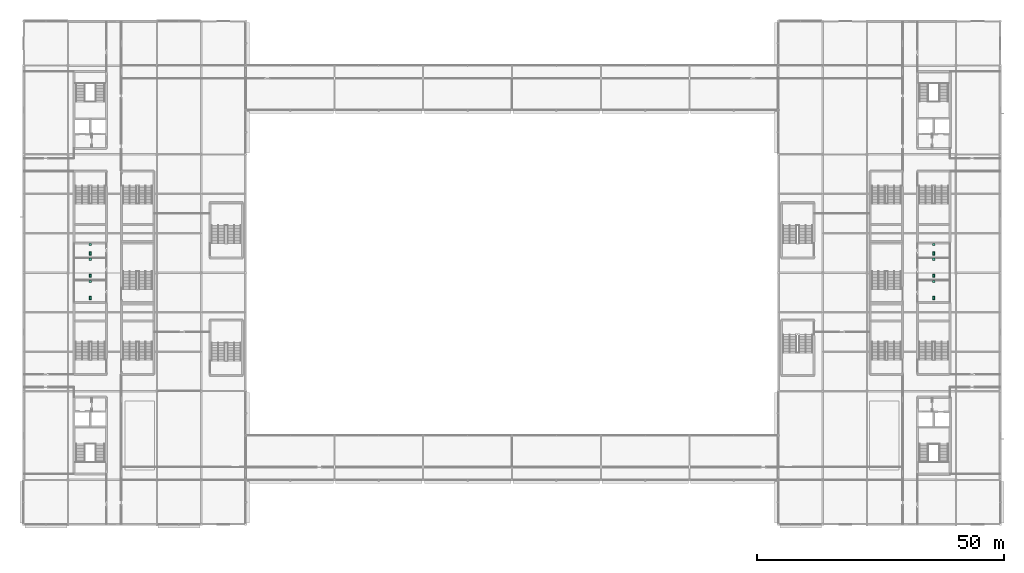
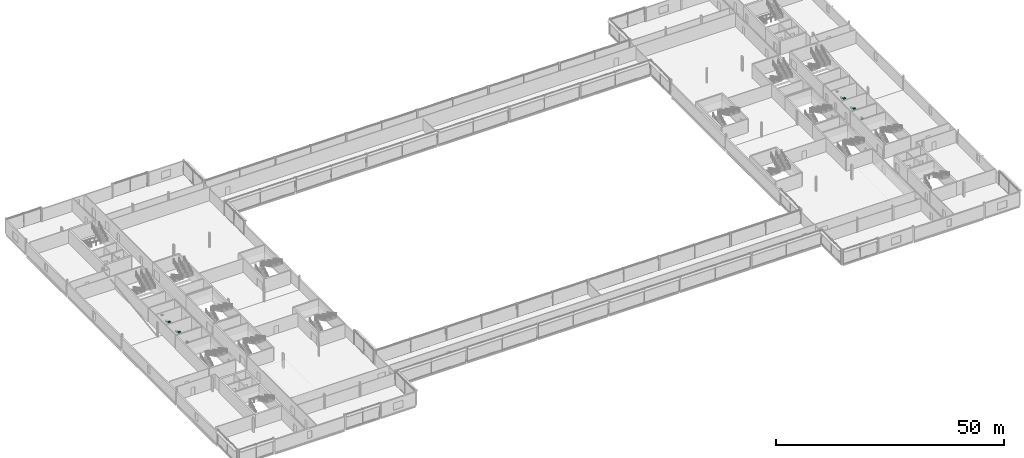
# One storey, part 96 of 96: 12 sanitary terminals.
"""IFC4 building model written with IfcOpenShell, lengths in metres."""

from ifc_helpers import new_model, si_unit, direction, frame, origin, origin_2d, place, context, subcontext, project, spatial, rectangle, extrude, material, type_object, element, save


model = new_model("IFC4")

# Units and contexts
model_context = context("Model", 3, precision=1e-05, world=origin(), true_north=direction((0.0, 1.0)))
body_context = subcontext(model_context, "Body", "Model", "MODEL_VIEW")
ifc_project = project(units=[si_unit("LENGTHUNIT", "METRE"), si_unit("AREAUNIT", "SQUARE_METRE"), si_unit("VOLUMEUNIT", "CUBIC_METRE"), si_unit("PLANEANGLEUNIT", "RADIAN"), si_unit("MASSUNIT", "GRAM", prefix="KILO")], contexts=[model_context])

# Site, building, storey
site_placement = place(None, origin())
site = spatial("IfcSite", under=ifc_project, at=site_placement, CompositionType="ELEMENT")
building_placement = place(site_placement, origin())
building = spatial("IfcBuilding", under=site, at=building_placement, Name="Kisiwana Market Hall", CompositionType="ELEMENT")
storey_placement = place(building_placement, frame((0.0, 0.0, 25.5)))
storey = spatial("IfcBuildingStorey", under=building, at=storey_placement, Name="L05", CompositionType="ELEMENT", Elevation=25.5)

# Sanitary terminals
ifc_material_1 = material(Name="Vitreous china")
sanitary_terminal_type_1 = type_object("IfcSanitaryTerminalType", Name="SAN-BASIN", PredefinedType="WASHHANDBASIN", material=ifc_material_1)
for number, where, z_axis, x_axis, name in (
    (1, (13.5, 58.25, 0.68017578125), (0.0, 0.0, 1.0), (1.0, 0.0, 0.0), "Washhand basin L05-0037"),
    (2, (13.5, 62.75, 0.68017578125), (0.0, 0.0, 1.0), (1.0, 0.0, 0.0), "Washhand basin L05-0038"),
    (3, (13.5, 65.75, 0.68017578125), (0.0, 0.0, 1.0), (1.0, 0.0, 0.0), "Washhand basin L05-0039"),
    (4, (184.5, 58.25, 0.68017578125), (0.0, 0.0, 1.0), (1.0, 0.0, 0.0), "Washhand basin L05-0040"),
    (5, (184.5, 62.75, 0.68017578125), (0.0, 0.0, 1.0), (1.0, 0.0, 0.0), "Washhand basin L05-0041"),
    (6, (184.5, 65.75, 0.68017578125), (0.0, 0.0, 1.0), (1.0, 0.0, 0.0), "Washhand basin L05-0042"),
):
    element("IfcSanitaryTerminal", number, at=place(storey_placement, frame(where, z_axis=z_axis, x_axis=x_axis)), inside=storey, type_object=sanitary_terminal_type_1, Name=name, PredefinedType="WASHHANDBASIN", context=body_context, shape_type="SweptSolid", body=[
        extrude(rectangle(XDim=0.550048828125, YDim=0.449951171875, at=origin_2d()), origin(), (0.0, 0.0, 1.0), 0.199951171875),
    ])
ifc_material_2 = material(Name="Vitreous china")
sanitary_terminal_type_2 = type_object("IfcSanitaryTerminalType", Name="SAN-WC-PAN", PredefinedType="TOILETPAN", material=ifc_material_2)
for number, where, z_axis, x_axis, name in (
    (7, (13.5, 54.89990234375, 0.0), (0.0, 0.0, 1.0), (1.0, 0.0, 0.0), "WC pan L05-0037"),
    (8, (13.5, 59.39990234375, 0.0), (0.0, 0.0, 1.0), (1.0, 0.0, 0.0), "WC pan L05-0038"),
    (9, (13.5, 63.89990234375, 0.0), (0.0, 0.0, 1.0), (1.0, 0.0, 0.0), "WC pan L05-0039"),
    (10, (184.5, 54.89990234375, 0.0), (0.0, 0.0, 1.0), (1.0, 0.0, 0.0), "WC pan L05-0040"),
    (11, (184.5, 59.39990234375, 0.0), (0.0, 0.0, 1.0), (1.0, 0.0, 0.0), "WC pan L05-0041"),
    (12, (184.5, 63.89990234375, 0.0), (0.0, 0.0, 1.0), (1.0, 0.0, 0.0), "WC pan L05-0042"),
):
    element("IfcSanitaryTerminal", number, at=place(storey_placement, frame(where, z_axis=z_axis, x_axis=x_axis)), inside=storey, type_object=sanitary_terminal_type_2, Name=name, PredefinedType="TOILETPAN", context=body_context, shape_type="SweptSolid", body=[
        extrude(rectangle(XDim=0.39990234375, YDim=0.64990234375, at=origin_2d()), origin(), (0.0, 0.0, 1.0), 0.419921875),
    ])

save(model, "model.ifc")
